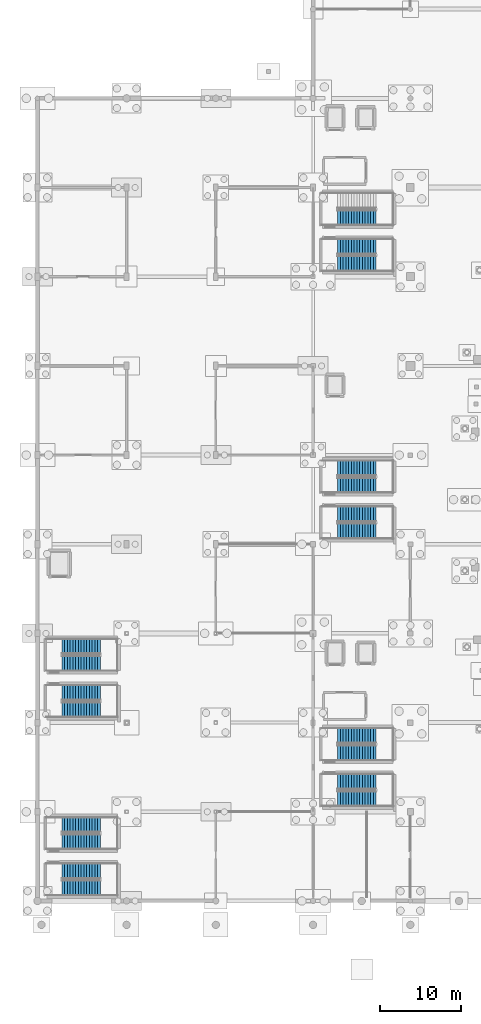
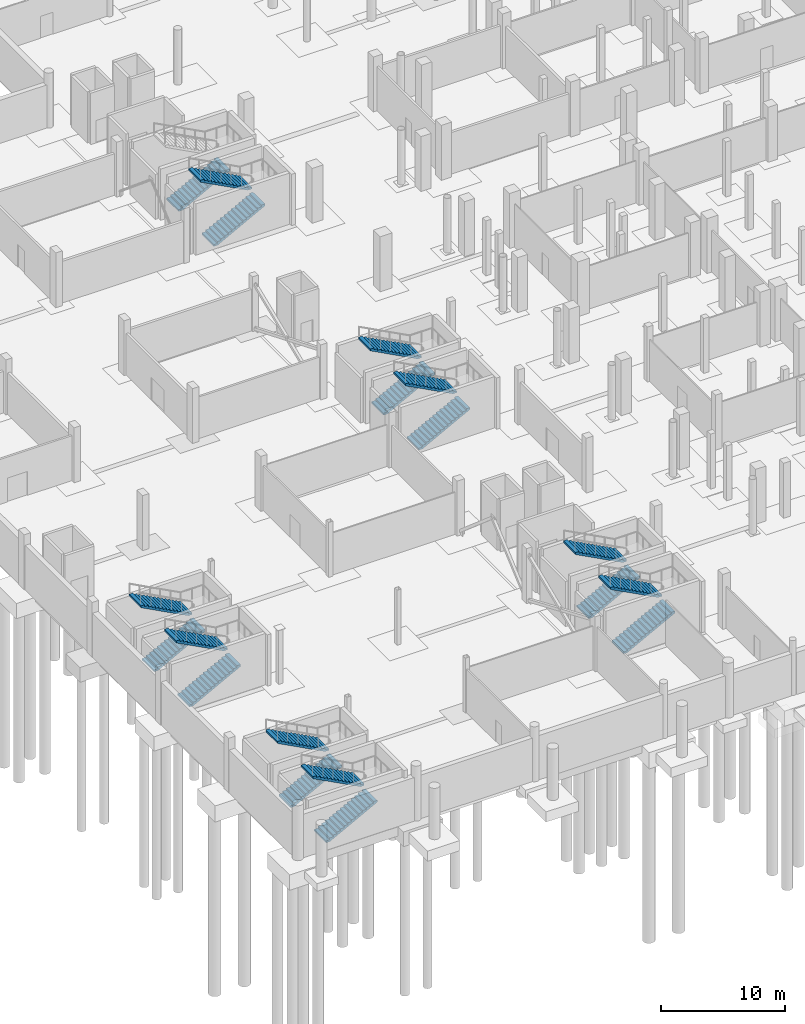
# One storey, part 44 of 60: 19 stair flights, 10 elements without a shape of their own.
"""IFC4 building model written with IfcOpenShell, lengths in metres."""

from ifc_helpers import new_model, si_unit, direction, frame, origin, place, context, subcontext, project, spatial, polyline, outline, extrude, material, layer, layer_set, type_object, element, aggregate, save


model = new_model("IFC4")

# Units and contexts
model_context = context("Model", 3, precision=1e-05, world=origin(), true_north=direction((0.0, 1.0)))
body_context = subcontext(model_context, "Body", "Model", "MODEL_VIEW")
ifc_project = project(units=[si_unit("LENGTHUNIT", "METRE"), si_unit("AREAUNIT", "SQUARE_METRE"), si_unit("VOLUMEUNIT", "CUBIC_METRE"), si_unit("PLANEANGLEUNIT", "RADIAN"), si_unit("MASSUNIT", "GRAM", prefix="KILO")], contexts=[model_context])

# Site, building, storey
site_placement = place(None, origin())
site = spatial("IfcSite", under=ifc_project, at=site_placement, CompositionType="ELEMENT")
building_placement = place(site_placement, origin())
building = spatial("IfcBuilding", under=site, at=building_placement, Name="Luwafu Chhajja Arena", CompositionType="ELEMENT")
storey_placement = place(building_placement, frame((0.0, 0.0, -5.39990234375)))
storey = spatial("IfcBuildingStorey", under=building, at=storey_placement, Name="B1", CompositionType="ELEMENT", Elevation=-5.39990234375)

# Stair, stair flights
ifc_material = material(Name="Concrete C35/45", Category="concrete")
stair_type_1 = type_object("IfcStairType", Name="Wing Protected Dog-Leg Stair 1900", PredefinedType="HALF_TURN_STAIR", material=ifc_material)
stair_1_placement = place(storey_placement, origin())
stair_1 = element("IfcStair", 1, at=stair_1_placement, inside=storey, type_object=stair_type_1, Name="B1 Protected Escape Stair ST-13", PredefinedType="HALF_TURN_STAIR")
ifc_layer_1 = layer(ifc_material, 0.1650390625, Name="Concrete C35/45")
ifc_layer_set_1 = layer_set([ifc_layer_1], Name="Concrete C35/45")
stair_flight_type_1 = type_object("IfcStairFlightType", Name="RC Escape Stair Flight 1900", PredefinedType="STRAIGHT", material=ifc_layer_set_1)
stair_flight_1_placement = place(storey_placement, frame((3.0, 23.60009765625, 0.0), z_axis=(0.0, 0.0, 1.0), x_axis=(1.0, 0.0, 0.0)))
stair_flight_1 = element("IfcStairFlight", 2, at=stair_flight_1_placement, type_object=stair_flight_type_1, Name="ST-13 flight 1", NumberOfRisers=15, NumberOfTreads=14, PredefinedType="STRAIGHT", RiserHeight=0.18, TreadLength=0.34, context=body_context, shape_type="SweptSolid", body=[
    extrude(outline(polyline([(0.0, 0.0), (0.0, 0.179931640625), (0.340087890625, 0.179931640625), (0.340087890625, 0.360107421875), (0.679931640625, 0.360107421875), (0.679931640625, 0.5400390625), (1.02001953125, 0.5400390625), (1.02001953125, 0.719970703125), (1.360107421875, 0.719970703125), (1.360107421875, 0.89990234375), (1.699951171875, 0.89990234375), (1.699951171875, 1.080078125), (2.0400390625, 1.080078125), (2.0400390625, 1.260009765625), (2.3798828125, 1.260009765625), (2.3798828125, 1.43994140625), (2.719970703125, 1.43994140625), (2.719970703125, 1.6201171875), (3.06005859375, 1.6201171875), (3.06005859375, 1.800048828125), (3.39990234375, 1.800048828125), (3.39990234375, 1.97998046875), (3.739990234375, 1.97998046875), (3.739990234375, 2.159912109375), (4.080078125, 2.159912109375), (4.080078125, 2.340087890625), (4.419921875, 2.340087890625), (4.419921875, 2.52001953125), (4.760009765625, 2.52001953125), (4.760009765625, 2.699951171875), (4.760009765625, 2.32763671875), (0.36328125, 0.0), (0.0, 0.0)])), frame((0.0, 0.949951171875, 0.0), z_axis=(0.0, -1.0, 0.0), x_axis=(1.0, 0.0, 0.0)), (0.0, 0.0, 1.0), 1.89990234375),
])
stair_flight_2_placement = place(storey_placement, frame((7.760009765625, 25.699951171875, 2.699951171875), z_axis=(0.0, 0.0, 1.0), x_axis=(-1.0, 0.0, 0.0)))
stair_flight_2 = element("IfcStairFlight", 3, at=stair_flight_2_placement, type_object=stair_flight_type_1, Name="ST-13 flight 2", NumberOfRisers=15, NumberOfTreads=14, PredefinedType="STRAIGHT", RiserHeight=0.18, TreadLength=0.34, context=body_context, shape_type="SweptSolid", body=[
    extrude(outline(polyline([(0.0, 0.0), (0.0, 0.179931640625), (0.340087890625, 0.179931640625), (0.340087890625, 0.360107421875), (0.679931640625, 0.360107421875), (0.679931640625, 0.5400390625), (1.02001953125, 0.5400390625), (1.02001953125, 0.719970703125), (1.360107421875, 0.719970703125), (1.360107421875, 0.89990234375), (1.699951171875, 0.89990234375), (1.699951171875, 1.080078125), (2.0400390625, 1.080078125), (2.0400390625, 1.260009765625), (2.3798828125, 1.260009765625), (2.3798828125, 1.43994140625), (2.719970703125, 1.43994140625), (2.719970703125, 1.6201171875), (3.06005859375, 1.6201171875), (3.06005859375, 1.800048828125), (3.39990234375, 1.800048828125), (3.39990234375, 1.97998046875), (3.739990234375, 1.97998046875), (3.739990234375, 2.159912109375), (4.080078125, 2.159912109375), (4.080078125, 2.340087890625), (4.419921875, 2.340087890625), (4.419921875, 2.52001953125), (4.760009765625, 2.52001953125), (4.760009765625, 2.699951171875), (4.760009765625, 2.32763671875), (0.36328125, 0.0), (0.0, 0.0)])), frame((0.0, 0.949951171875, 0.0), z_axis=(0.0, -1.0, 0.0), x_axis=(1.0, 0.0, 0.0)), (0.0, 0.0, 1.0), 1.89990234375),
])
aggregate(stair_1, [stair_flight_1, stair_flight_2])

stair_2_placement = place(storey_placement, origin())
stair_2 = element("IfcStair", 4, at=stair_2_placement, inside=storey, type_object=stair_type_1, Name="B1 Protected Escape Stair ST-14", PredefinedType="HALF_TURN_STAIR")
stair_flight_3_placement = place(storey_placement, frame((3.0, 29.300048828125, 0.0), z_axis=(0.0, 0.0, 1.0), x_axis=(1.0, 0.0, 0.0)))
stair_flight_3 = element("IfcStairFlight", 5, at=stair_flight_3_placement, type_object=stair_flight_type_1, Name="ST-14 flight 1", NumberOfRisers=15, NumberOfTreads=14, PredefinedType="STRAIGHT", RiserHeight=0.18, TreadLength=0.34, context=body_context, shape_type="SweptSolid", body=[
    extrude(outline(polyline([(0.0, 0.0), (0.0, 0.179931640625), (0.340087890625, 0.179931640625), (0.340087890625, 0.360107421875), (0.679931640625, 0.360107421875), (0.679931640625, 0.5400390625), (1.02001953125, 0.5400390625), (1.02001953125, 0.719970703125), (1.360107421875, 0.719970703125), (1.360107421875, 0.89990234375), (1.699951171875, 0.89990234375), (1.699951171875, 1.080078125), (2.0400390625, 1.080078125), (2.0400390625, 1.260009765625), (2.3798828125, 1.260009765625), (2.3798828125, 1.43994140625), (2.719970703125, 1.43994140625), (2.719970703125, 1.6201171875), (3.06005859375, 1.6201171875), (3.06005859375, 1.800048828125), (3.39990234375, 1.800048828125), (3.39990234375, 1.97998046875), (3.739990234375, 1.97998046875), (3.739990234375, 2.159912109375), (4.080078125, 2.159912109375), (4.080078125, 2.340087890625), (4.419921875, 2.340087890625), (4.419921875, 2.52001953125), (4.760009765625, 2.52001953125), (4.760009765625, 2.699951171875), (4.760009765625, 2.32763671875), (0.36328125, 0.0), (0.0, 0.0)])), frame((0.0, 0.949951171875, 0.0), z_axis=(0.0, -1.0, 0.0), x_axis=(1.0, 0.0, 0.0)), (0.0, 0.0, 1.0), 1.89990234375),
])
stair_flight_4_placement = place(storey_placement, frame((7.760009765625, 31.39990234375, 2.699951171875), z_axis=(0.0, 0.0, 1.0), x_axis=(-1.0, 0.0, 0.0)))
stair_flight_4 = element("IfcStairFlight", 6, at=stair_flight_4_placement, type_object=stair_flight_type_1, Name="ST-14 flight 2", NumberOfRisers=15, NumberOfTreads=14, PredefinedType="STRAIGHT", RiserHeight=0.18, TreadLength=0.34, context=body_context, shape_type="SweptSolid", body=[
    extrude(outline(polyline([(0.0, 0.0), (0.0, 0.179931640625), (0.340087890625, 0.179931640625), (0.340087890625, 0.360107421875), (0.679931640625, 0.360107421875), (0.679931640625, 0.5400390625), (1.02001953125, 0.5400390625), (1.02001953125, 0.719970703125), (1.360107421875, 0.719970703125), (1.360107421875, 0.89990234375), (1.699951171875, 0.89990234375), (1.699951171875, 1.080078125), (2.0400390625, 1.080078125), (2.0400390625, 1.260009765625), (2.3798828125, 1.260009765625), (2.3798828125, 1.43994140625), (2.719970703125, 1.43994140625), (2.719970703125, 1.6201171875), (3.06005859375, 1.6201171875), (3.06005859375, 1.800048828125), (3.39990234375, 1.800048828125), (3.39990234375, 1.97998046875), (3.739990234375, 1.97998046875), (3.739990234375, 2.159912109375), (4.080078125, 2.159912109375), (4.080078125, 2.340087890625), (4.419921875, 2.340087890625), (4.419921875, 2.52001953125), (4.760009765625, 2.52001953125), (4.760009765625, 2.699951171875), (4.760009765625, 2.32763671875), (0.36328125, 0.0), (0.0, 0.0)])), frame((0.0, 0.949951171875, 0.0), z_axis=(0.0, -1.0, 0.0), x_axis=(1.0, 0.0, 0.0)), (0.0, 0.0, 1.0), 1.89990234375),
])
aggregate(stair_2, [stair_flight_3, stair_flight_4])

stair_3_placement = place(storey_placement, origin())
stair_3 = element("IfcStair", 7, at=stair_3_placement, inside=storey, type_object=stair_type_1, Name="B1 Protected Escape Stair ST-17", PredefinedType="HALF_TURN_STAIR")
stair_flight_5_placement = place(storey_placement, frame((3.0, 1.60009765625, 0.0), z_axis=(0.0, 0.0, 1.0), x_axis=(1.0, 0.0, 0.0)))
stair_flight_5 = element("IfcStairFlight", 8, at=stair_flight_5_placement, type_object=stair_flight_type_1, Name="ST-17 flight 1", NumberOfRisers=15, NumberOfTreads=14, PredefinedType="STRAIGHT", RiserHeight=0.18, TreadLength=0.34, context=body_context, shape_type="SweptSolid", body=[
    extrude(outline(polyline([(0.0, 0.0), (0.0, 0.179931640625), (0.340087890625, 0.179931640625), (0.340087890625, 0.360107421875), (0.679931640625, 0.360107421875), (0.679931640625, 0.5400390625), (1.02001953125, 0.5400390625), (1.02001953125, 0.719970703125), (1.360107421875, 0.719970703125), (1.360107421875, 0.89990234375), (1.699951171875, 0.89990234375), (1.699951171875, 1.080078125), (2.0400390625, 1.080078125), (2.0400390625, 1.260009765625), (2.3798828125, 1.260009765625), (2.3798828125, 1.43994140625), (2.719970703125, 1.43994140625), (2.719970703125, 1.6201171875), (3.06005859375, 1.6201171875), (3.06005859375, 1.800048828125), (3.39990234375, 1.800048828125), (3.39990234375, 1.97998046875), (3.739990234375, 1.97998046875), (3.739990234375, 2.159912109375), (4.080078125, 2.159912109375), (4.080078125, 2.340087890625), (4.419921875, 2.340087890625), (4.419921875, 2.52001953125), (4.760009765625, 2.52001953125), (4.760009765625, 2.699951171875), (4.760009765625, 2.32763671875), (0.36328125, 0.0), (0.0, 0.0)])), frame((0.0, 0.949951171875, 0.0), z_axis=(0.0, -1.0, 0.0), x_axis=(1.0, 0.0, 0.0)), (0.0, 0.0, 1.0), 1.89990234375),
])
stair_flight_6_placement = place(storey_placement, frame((7.760009765625, 3.699951171875, 2.699951171875), z_axis=(0.0, 0.0, 1.0), x_axis=(-1.0, 0.0, 0.0)))
stair_flight_6 = element("IfcStairFlight", 9, at=stair_flight_6_placement, type_object=stair_flight_type_1, Name="ST-17 flight 2", NumberOfRisers=15, NumberOfTreads=14, PredefinedType="STRAIGHT", RiserHeight=0.18, TreadLength=0.34, context=body_context, shape_type="SweptSolid", body=[
    extrude(outline(polyline([(0.0, 0.0), (0.0, 0.179931640625), (0.340087890625, 0.179931640625), (0.340087890625, 0.360107421875), (0.679931640625, 0.360107421875), (0.679931640625, 0.5400390625), (1.02001953125, 0.5400390625), (1.02001953125, 0.719970703125), (1.360107421875, 0.719970703125), (1.360107421875, 0.89990234375), (1.699951171875, 0.89990234375), (1.699951171875, 1.080078125), (2.0400390625, 1.080078125), (2.0400390625, 1.260009765625), (2.3798828125, 1.260009765625), (2.3798828125, 1.43994140625), (2.719970703125, 1.43994140625), (2.719970703125, 1.6201171875), (3.06005859375, 1.6201171875), (3.06005859375, 1.800048828125), (3.39990234375, 1.800048828125), (3.39990234375, 1.97998046875), (3.739990234375, 1.97998046875), (3.739990234375, 2.159912109375), (4.080078125, 2.159912109375), (4.080078125, 2.340087890625), (4.419921875, 2.340087890625), (4.419921875, 2.52001953125), (4.760009765625, 2.52001953125), (4.760009765625, 2.699951171875), (4.760009765625, 2.32763671875), (0.36328125, 0.0), (0.0, 0.0)])), frame((0.0, 0.949951171875, 0.0), z_axis=(0.0, -1.0, 0.0), x_axis=(1.0, 0.0, 0.0)), (0.0, 0.0, 1.0), 1.89990234375),
])
aggregate(stair_3, [stair_flight_5, stair_flight_6])

stair_4_placement = place(storey_placement, origin())
stair_4 = element("IfcStair", 10, at=stair_4_placement, inside=storey, type_object=stair_type_1, Name="B1 Protected Escape Stair ST-18", PredefinedType="HALF_TURN_STAIR")
stair_flight_7_placement = place(storey_placement, frame((3.0, 7.300048828125, 0.0), z_axis=(0.0, 0.0, 1.0), x_axis=(1.0, 0.0, 0.0)))
stair_flight_7 = element("IfcStairFlight", 11, at=stair_flight_7_placement, type_object=stair_flight_type_1, Name="ST-18 flight 1", NumberOfRisers=15, NumberOfTreads=14, PredefinedType="STRAIGHT", RiserHeight=0.18, TreadLength=0.34, context=body_context, shape_type="SweptSolid", body=[
    extrude(outline(polyline([(0.0, 0.0), (0.0, 0.179931640625), (0.340087890625, 0.179931640625), (0.340087890625, 0.360107421875), (0.679931640625, 0.360107421875), (0.679931640625, 0.5400390625), (1.02001953125, 0.5400390625), (1.02001953125, 0.719970703125), (1.360107421875, 0.719970703125), (1.360107421875, 0.89990234375), (1.699951171875, 0.89990234375), (1.699951171875, 1.080078125), (2.0400390625, 1.080078125), (2.0400390625, 1.260009765625), (2.3798828125, 1.260009765625), (2.3798828125, 1.43994140625), (2.719970703125, 1.43994140625), (2.719970703125, 1.6201171875), (3.06005859375, 1.6201171875), (3.06005859375, 1.800048828125), (3.39990234375, 1.800048828125), (3.39990234375, 1.97998046875), (3.739990234375, 1.97998046875), (3.739990234375, 2.159912109375), (4.080078125, 2.159912109375), (4.080078125, 2.340087890625), (4.419921875, 2.340087890625), (4.419921875, 2.52001953125), (4.760009765625, 2.52001953125), (4.760009765625, 2.699951171875), (4.760009765625, 2.32763671875), (0.36328125, 0.0), (0.0, 0.0)])), frame((0.0, 0.949951171875, 0.0), z_axis=(0.0, -1.0, 0.0), x_axis=(1.0, 0.0, 0.0)), (0.0, 0.0, 1.0), 1.89990234375),
])
stair_flight_8_placement = place(storey_placement, frame((7.760009765625, 9.39990234375, 2.699951171875), z_axis=(0.0, 0.0, 1.0), x_axis=(-1.0, 0.0, 0.0)))
stair_flight_8 = element("IfcStairFlight", 12, at=stair_flight_8_placement, type_object=stair_flight_type_1, Name="ST-18 flight 2", NumberOfRisers=15, NumberOfTreads=14, PredefinedType="STRAIGHT", RiserHeight=0.18, TreadLength=0.34, context=body_context, shape_type="SweptSolid", body=[
    extrude(outline(polyline([(0.0, 0.0), (0.0, 0.179931640625), (0.340087890625, 0.179931640625), (0.340087890625, 0.360107421875), (0.679931640625, 0.360107421875), (0.679931640625, 0.5400390625), (1.02001953125, 0.5400390625), (1.02001953125, 0.719970703125), (1.360107421875, 0.719970703125), (1.360107421875, 0.89990234375), (1.699951171875, 0.89990234375), (1.699951171875, 1.080078125), (2.0400390625, 1.080078125), (2.0400390625, 1.260009765625), (2.3798828125, 1.260009765625), (2.3798828125, 1.43994140625), (2.719970703125, 1.43994140625), (2.719970703125, 1.6201171875), (3.06005859375, 1.6201171875), (3.06005859375, 1.800048828125), (3.39990234375, 1.800048828125), (3.39990234375, 1.97998046875), (3.739990234375, 1.97998046875), (3.739990234375, 2.159912109375), (4.080078125, 2.159912109375), (4.080078125, 2.340087890625), (4.419921875, 2.340087890625), (4.419921875, 2.52001953125), (4.760009765625, 2.52001953125), (4.760009765625, 2.699951171875), (4.760009765625, 2.32763671875), (0.36328125, 0.0), (0.0, 0.0)])), frame((0.0, 0.949951171875, 0.0), z_axis=(0.0, -1.0, 0.0), x_axis=(1.0, 0.0, 0.0)), (0.0, 0.0, 1.0), 1.89990234375),
])
aggregate(stair_4, [stair_flight_7, stair_flight_8])

stair_type_2 = type_object("IfcStairType", Name="Quadrant Protected Dog-Leg Stair 1920", PredefinedType="HALF_TURN_STAIR", material=ifc_material)
stair_5_placement = place(storey_placement, origin())
stair_5 = element("IfcStair", 13, at=stair_5_placement, inside=storey, type_object=stair_type_2, Name="B1 Protected Escape Stair ST-01", PredefinedType="HALF_TURN_STAIR")
ifc_layer_2 = layer(ifc_material, 0.169921875, Name="Concrete C35/45")
ifc_layer_set_2 = layer_set([ifc_layer_2], Name="Concrete C35/45")
stair_flight_type_2 = type_object("IfcStairFlightType", Name="RC Escape Stair Flight 1920", PredefinedType="STRAIGHT", material=ifc_layer_set_2)
stair_flight_9_placement = place(storey_placement, frame((37.02001953125, 12.610107421875, 0.0), z_axis=(0.0, 0.0, 1.0), x_axis=(1.0, 0.0, 0.0)))
stair_flight_9 = element("IfcStairFlight", 14, at=stair_flight_9_placement, type_object=stair_flight_type_2, Name="ST-01 flight 1", NumberOfRisers=15, NumberOfTreads=14, PredefinedType="STRAIGHT", RiserHeight=0.18, TreadLength=0.34, context=body_context, shape_type="SweptSolid", body=[
    extrude(outline(polyline([(0.0, 0.0), (0.0, 0.179931640625), (0.340087890625, 0.179931640625), (0.340087890625, 0.360107421875), (0.679931640625, 0.360107421875), (0.679931640625, 0.5400390625), (1.02001953125, 0.5400390625), (1.02001953125, 0.719970703125), (1.360107421875, 0.719970703125), (1.360107421875, 0.89990234375), (1.699951171875, 0.89990234375), (1.699951171875, 1.080078125), (2.0400390625, 1.080078125), (2.0400390625, 1.260009765625), (2.3798828125, 1.260009765625), (2.3798828125, 1.43994140625), (2.719970703125, 1.43994140625), (2.719970703125, 1.6201171875), (3.06005859375, 1.6201171875), (3.06005859375, 1.800048828125), (3.39990234375, 1.800048828125), (3.39990234375, 1.97998046875), (3.739990234375, 1.97998046875), (3.739990234375, 2.159912109375), (4.080078125, 2.159912109375), (4.080078125, 2.340087890625), (4.419921875, 2.340087890625), (4.419921875, 2.52001953125), (4.760009765625, 2.52001953125), (4.760009765625, 2.699951171875), (4.760009765625, 2.32763671875), (0.36328125, 0.0), (0.0, 0.0)])), frame((0.0, 0.9599609375, 0.0), z_axis=(0.0, -1.0, 0.0), x_axis=(1.0, 0.0, 0.0)), (0.0, 0.0, 1.0), 1.919921875),
])
stair_flight_10_placement = place(storey_placement, frame((41.780029296875, 14.72998046875, 2.699951171875), z_axis=(0.0, 0.0, 1.0), x_axis=(-1.0, 0.0, 0.0)))
stair_flight_10 = element("IfcStairFlight", 15, at=stair_flight_10_placement, type_object=stair_flight_type_2, Name="ST-01 flight 2", NumberOfRisers=15, NumberOfTreads=14, PredefinedType="STRAIGHT", RiserHeight=0.18, TreadLength=0.34, context=body_context, shape_type="SweptSolid", body=[
    extrude(outline(polyline([(0.0, 0.0), (0.0, 0.179931640625), (0.340087890625, 0.179931640625), (0.340087890625, 0.360107421875), (0.679931640625, 0.360107421875), (0.679931640625, 0.5400390625), (1.02001953125, 0.5400390625), (1.02001953125, 0.719970703125), (1.360107421875, 0.719970703125), (1.360107421875, 0.89990234375), (1.699951171875, 0.89990234375), (1.699951171875, 1.080078125), (2.0400390625, 1.080078125), (2.0400390625, 1.260009765625), (2.3798828125, 1.260009765625), (2.3798828125, 1.43994140625), (2.719970703125, 1.43994140625), (2.719970703125, 1.6201171875), (3.06005859375, 1.6201171875), (3.06005859375, 1.800048828125), (3.39990234375, 1.800048828125), (3.39990234375, 1.97998046875), (3.739990234375, 1.97998046875), (3.739990234375, 2.159912109375), (4.080078125, 2.159912109375), (4.080078125, 2.340087890625), (4.419921875, 2.340087890625), (4.419921875, 2.52001953125), (4.760009765625, 2.52001953125), (4.760009765625, 2.699951171875), (4.760009765625, 2.32763671875), (0.36328125, 0.0), (0.0, 0.0)])), frame((0.0, 0.9599609375, 0.0), z_axis=(0.0, -1.0, 0.0), x_axis=(1.0, 0.0, 0.0)), (0.0, 0.0, 1.0), 1.919921875),
])
aggregate(stair_5, [stair_flight_9, stair_flight_10])

stair_6_placement = place(storey_placement, origin())
stair_6 = element("IfcStair", 16, at=stair_6_placement, inside=storey, type_object=stair_type_2, Name="B1 Protected Escape Stair ST-02", PredefinedType="HALF_TURN_STAIR")
stair_flight_11_placement = place(storey_placement, frame((37.02001953125, 18.27001953125, 0.0), z_axis=(0.0, 0.0, 1.0), x_axis=(1.0, 0.0, 0.0)))
stair_flight_11 = element("IfcStairFlight", 17, at=stair_flight_11_placement, type_object=stair_flight_type_2, Name="ST-02 flight 1", NumberOfRisers=15, NumberOfTreads=14, PredefinedType="STRAIGHT", RiserHeight=0.18, TreadLength=0.34, context=body_context, shape_type="SweptSolid", body=[
    extrude(outline(polyline([(0.0, 0.0), (0.0, 0.179931640625), (0.340087890625, 0.179931640625), (0.340087890625, 0.360107421875), (0.679931640625, 0.360107421875), (0.679931640625, 0.5400390625), (1.02001953125, 0.5400390625), (1.02001953125, 0.719970703125), (1.360107421875, 0.719970703125), (1.360107421875, 0.89990234375), (1.699951171875, 0.89990234375), (1.699951171875, 1.080078125), (2.0400390625, 1.080078125), (2.0400390625, 1.260009765625), (2.3798828125, 1.260009765625), (2.3798828125, 1.43994140625), (2.719970703125, 1.43994140625), (2.719970703125, 1.6201171875), (3.06005859375, 1.6201171875), (3.06005859375, 1.800048828125), (3.39990234375, 1.800048828125), (3.39990234375, 1.97998046875), (3.739990234375, 1.97998046875), (3.739990234375, 2.159912109375), (4.080078125, 2.159912109375), (4.080078125, 2.340087890625), (4.419921875, 2.340087890625), (4.419921875, 2.52001953125), (4.760009765625, 2.52001953125), (4.760009765625, 2.699951171875), (4.760009765625, 2.32763671875), (0.36328125, 0.0), (0.0, 0.0)])), frame((0.0, 0.9599609375, 0.0), z_axis=(0.0, -1.0, 0.0), x_axis=(1.0, 0.0, 0.0)), (0.0, 0.0, 1.0), 1.919921875),
])
stair_flight_12_placement = place(storey_placement, frame((41.780029296875, 20.389892578125, 2.699951171875), z_axis=(0.0, 0.0, 1.0), x_axis=(-1.0, 0.0, 0.0)))
stair_flight_12 = element("IfcStairFlight", 18, at=stair_flight_12_placement, type_object=stair_flight_type_2, Name="ST-02 flight 2", NumberOfRisers=15, NumberOfTreads=14, PredefinedType="STRAIGHT", RiserHeight=0.18, TreadLength=0.34, context=body_context, shape_type="SweptSolid", body=[
    extrude(outline(polyline([(0.0, 0.0), (0.0, 0.179931640625), (0.340087890625, 0.179931640625), (0.340087890625, 0.360107421875), (0.679931640625, 0.360107421875), (0.679931640625, 0.5400390625), (1.02001953125, 0.5400390625), (1.02001953125, 0.719970703125), (1.360107421875, 0.719970703125), (1.360107421875, 0.89990234375), (1.699951171875, 0.89990234375), (1.699951171875, 1.080078125), (2.0400390625, 1.080078125), (2.0400390625, 1.260009765625), (2.3798828125, 1.260009765625), (2.3798828125, 1.43994140625), (2.719970703125, 1.43994140625), (2.719970703125, 1.6201171875), (3.06005859375, 1.6201171875), (3.06005859375, 1.800048828125), (3.39990234375, 1.800048828125), (3.39990234375, 1.97998046875), (3.739990234375, 1.97998046875), (3.739990234375, 2.159912109375), (4.080078125, 2.159912109375), (4.080078125, 2.340087890625), (4.419921875, 2.340087890625), (4.419921875, 2.52001953125), (4.760009765625, 2.52001953125), (4.760009765625, 2.699951171875), (4.760009765625, 2.32763671875), (0.36328125, 0.0), (0.0, 0.0)])), frame((0.0, 0.9599609375, 0.0), z_axis=(0.0, -1.0, 0.0), x_axis=(1.0, 0.0, 0.0)), (0.0, 0.0, 1.0), 1.919921875),
])
aggregate(stair_6, [stair_flight_11, stair_flight_12])

stair_7_placement = place(storey_placement, origin())
stair_7 = element("IfcStair", 19, at=stair_7_placement, inside=storey, type_object=stair_type_2, Name="B1 Protected Escape Stair ST-05", PredefinedType="HALF_TURN_STAIR")
stair_flight_13_placement = place(storey_placement, frame((37.02001953125, 78.610107421875, 0.0), z_axis=(0.0, 0.0, 1.0), x_axis=(1.0, 0.0, 0.0)))
stair_flight_13 = element("IfcStairFlight", 20, at=stair_flight_13_placement, type_object=stair_flight_type_2, Name="ST-05 flight 1", NumberOfRisers=15, NumberOfTreads=14, PredefinedType="STRAIGHT", RiserHeight=0.18, TreadLength=0.34, context=body_context, shape_type="SweptSolid", body=[
    extrude(outline(polyline([(0.0, 0.0), (0.0, 0.179931640625), (0.340087890625, 0.179931640625), (0.340087890625, 0.360107421875), (0.679931640625, 0.360107421875), (0.679931640625, 0.5400390625), (1.02001953125, 0.5400390625), (1.02001953125, 0.719970703125), (1.360107421875, 0.719970703125), (1.360107421875, 0.89990234375), (1.699951171875, 0.89990234375), (1.699951171875, 1.080078125), (2.0400390625, 1.080078125), (2.0400390625, 1.260009765625), (2.3798828125, 1.260009765625), (2.3798828125, 1.43994140625), (2.719970703125, 1.43994140625), (2.719970703125, 1.6201171875), (3.06005859375, 1.6201171875), (3.06005859375, 1.800048828125), (3.39990234375, 1.800048828125), (3.39990234375, 1.97998046875), (3.739990234375, 1.97998046875), (3.739990234375, 2.159912109375), (4.080078125, 2.159912109375), (4.080078125, 2.340087890625), (4.419921875, 2.340087890625), (4.419921875, 2.52001953125), (4.760009765625, 2.52001953125), (4.760009765625, 2.699951171875), (4.760009765625, 2.32763671875), (0.36328125, 0.0), (0.0, 0.0)])), frame((0.0, 0.9599609375, 0.0), z_axis=(0.0, -1.0, 0.0), x_axis=(1.0, 0.0, 0.0)), (0.0, 0.0, 1.0), 1.919921875),
])
stair_flight_14_placement = place(storey_placement, frame((41.780029296875, 80.72998046875, 2.699951171875), z_axis=(0.0, 0.0, 1.0), x_axis=(-1.0, 0.0, 0.0)))
stair_flight_14 = element("IfcStairFlight", 21, at=stair_flight_14_placement, type_object=stair_flight_type_2, Name="ST-05 flight 2", NumberOfRisers=15, NumberOfTreads=14, PredefinedType="STRAIGHT", RiserHeight=0.18, TreadLength=0.34, context=body_context, shape_type="SweptSolid", body=[
    extrude(outline(polyline([(0.0, 0.0), (0.0, 0.179931640625), (0.340087890625, 0.179931640625), (0.340087890625, 0.360107421875), (0.679931640625, 0.360107421875), (0.679931640625, 0.5400390625), (1.02001953125, 0.5400390625), (1.02001953125, 0.719970703125), (1.360107421875, 0.719970703125), (1.360107421875, 0.89990234375), (1.699951171875, 0.89990234375), (1.699951171875, 1.080078125), (2.0400390625, 1.080078125), (2.0400390625, 1.260009765625), (2.3798828125, 1.260009765625), (2.3798828125, 1.43994140625), (2.719970703125, 1.43994140625), (2.719970703125, 1.6201171875), (3.06005859375, 1.6201171875), (3.06005859375, 1.800048828125), (3.39990234375, 1.800048828125), (3.39990234375, 1.97998046875), (3.739990234375, 1.97998046875), (3.739990234375, 2.159912109375), (4.080078125, 2.159912109375), (4.080078125, 2.340087890625), (4.419921875, 2.340087890625), (4.419921875, 2.52001953125), (4.760009765625, 2.52001953125), (4.760009765625, 2.699951171875), (4.760009765625, 2.32763671875), (0.36328125, 0.0), (0.0, 0.0)])), frame((0.0, 0.9599609375, 0.0), z_axis=(0.0, -1.0, 0.0), x_axis=(1.0, 0.0, 0.0)), (0.0, 0.0, 1.0), 1.919921875),
])
aggregate(stair_7, [stair_flight_13, stair_flight_14])

# Stair, stair flight
stair_8_placement = place(storey_placement, origin())
stair_8 = element("IfcStair", 22, at=stair_8_placement, inside=storey, type_object=stair_type_2, Name="B1 Protected Escape Stair ST-06", PredefinedType="HALF_TURN_STAIR")
stair_flight_15_placement = place(storey_placement, frame((37.02001953125, 84.27001953125, 0.0), z_axis=(0.0, 0.0, 1.0), x_axis=(1.0, 0.0, 0.0)))
stair_flight_15 = element("IfcStairFlight", 23, at=stair_flight_15_placement, type_object=stair_flight_type_2, Name="ST-06 flight 1", NumberOfRisers=15, NumberOfTreads=14, PredefinedType="STRAIGHT", RiserHeight=0.18, TreadLength=0.34, context=body_context, shape_type="SweptSolid", body=[
    extrude(outline(polyline([(0.0, 0.0), (0.0, 0.179931640625), (0.340087890625, 0.179931640625), (0.340087890625, 0.360107421875), (0.679931640625, 0.360107421875), (0.679931640625, 0.5400390625), (1.02001953125, 0.5400390625), (1.02001953125, 0.719970703125), (1.360107421875, 0.719970703125), (1.360107421875, 0.89990234375), (1.699951171875, 0.89990234375), (1.699951171875, 1.080078125), (2.0400390625, 1.080078125), (2.0400390625, 1.260009765625), (2.3798828125, 1.260009765625), (2.3798828125, 1.43994140625), (2.719970703125, 1.43994140625), (2.719970703125, 1.6201171875), (3.06005859375, 1.6201171875), (3.06005859375, 1.800048828125), (3.39990234375, 1.800048828125), (3.39990234375, 1.97998046875), (3.739990234375, 1.97998046875), (3.739990234375, 2.159912109375), (4.080078125, 2.159912109375), (4.080078125, 2.340087890625), (4.419921875, 2.340087890625), (4.419921875, 2.52001953125), (4.760009765625, 2.52001953125), (4.760009765625, 2.699951171875), (4.760009765625, 2.32763671875), (0.36328125, 0.0), (0.0, 0.0)])), frame((0.0, 0.9599609375, 0.0), z_axis=(0.0, -1.0, 0.0), x_axis=(1.0, 0.0, 0.0)), (0.0, 0.0, 1.0), 1.919921875),
])
aggregate(stair_8, [stair_flight_15])

# Stair, stair flights
stair_9_placement = place(storey_placement, origin())
stair_9 = element("IfcStair", 24, at=stair_9_placement, inside=storey, type_object=stair_type_2, Name="B1 Protected Escape Stair ST-09", PredefinedType="HALF_TURN_STAIR")
stair_flight_16_placement = place(storey_placement, frame((37.02001953125, 45.610107421875, 0.0), z_axis=(0.0, 0.0, 1.0), x_axis=(1.0, 0.0, 0.0)))
stair_flight_16 = element("IfcStairFlight", 25, at=stair_flight_16_placement, type_object=stair_flight_type_2, Name="ST-09 flight 1", NumberOfRisers=15, NumberOfTreads=14, PredefinedType="STRAIGHT", RiserHeight=0.18, TreadLength=0.34, context=body_context, shape_type="SweptSolid", body=[
    extrude(outline(polyline([(0.0, 0.0), (0.0, 0.179931640625), (0.340087890625, 0.179931640625), (0.340087890625, 0.360107421875), (0.679931640625, 0.360107421875), (0.679931640625, 0.5400390625), (1.02001953125, 0.5400390625), (1.02001953125, 0.719970703125), (1.360107421875, 0.719970703125), (1.360107421875, 0.89990234375), (1.699951171875, 0.89990234375), (1.699951171875, 1.080078125), (2.0400390625, 1.080078125), (2.0400390625, 1.260009765625), (2.3798828125, 1.260009765625), (2.3798828125, 1.43994140625), (2.719970703125, 1.43994140625), (2.719970703125, 1.6201171875), (3.06005859375, 1.6201171875), (3.06005859375, 1.800048828125), (3.39990234375, 1.800048828125), (3.39990234375, 1.97998046875), (3.739990234375, 1.97998046875), (3.739990234375, 2.159912109375), (4.080078125, 2.159912109375), (4.080078125, 2.340087890625), (4.419921875, 2.340087890625), (4.419921875, 2.52001953125), (4.760009765625, 2.52001953125), (4.760009765625, 2.699951171875), (4.760009765625, 2.32763671875), (0.36328125, 0.0), (0.0, 0.0)])), frame((0.0, 0.9599609375, 0.0), z_axis=(0.0, -1.0, 0.0), x_axis=(1.0, 0.0, 0.0)), (0.0, 0.0, 1.0), 1.919921875),
])
stair_flight_17_placement = place(storey_placement, frame((41.780029296875, 47.72998046875, 2.699951171875), z_axis=(0.0, 0.0, 1.0), x_axis=(-1.0, 0.0, 0.0)))
stair_flight_17 = element("IfcStairFlight", 26, at=stair_flight_17_placement, type_object=stair_flight_type_2, Name="ST-09 flight 2", NumberOfRisers=15, NumberOfTreads=14, PredefinedType="STRAIGHT", RiserHeight=0.18, TreadLength=0.34, context=body_context, shape_type="SweptSolid", body=[
    extrude(outline(polyline([(0.0, 0.0), (0.0, 0.179931640625), (0.340087890625, 0.179931640625), (0.340087890625, 0.360107421875), (0.679931640625, 0.360107421875), (0.679931640625, 0.5400390625), (1.02001953125, 0.5400390625), (1.02001953125, 0.719970703125), (1.360107421875, 0.719970703125), (1.360107421875, 0.89990234375), (1.699951171875, 0.89990234375), (1.699951171875, 1.080078125), (2.0400390625, 1.080078125), (2.0400390625, 1.260009765625), (2.3798828125, 1.260009765625), (2.3798828125, 1.43994140625), (2.719970703125, 1.43994140625), (2.719970703125, 1.6201171875), (3.06005859375, 1.6201171875), (3.06005859375, 1.800048828125), (3.39990234375, 1.800048828125), (3.39990234375, 1.97998046875), (3.739990234375, 1.97998046875), (3.739990234375, 2.159912109375), (4.080078125, 2.159912109375), (4.080078125, 2.340087890625), (4.419921875, 2.340087890625), (4.419921875, 2.52001953125), (4.760009765625, 2.52001953125), (4.760009765625, 2.699951171875), (4.760009765625, 2.32763671875), (0.36328125, 0.0), (0.0, 0.0)])), frame((0.0, 0.9599609375, 0.0), z_axis=(0.0, -1.0, 0.0), x_axis=(1.0, 0.0, 0.0)), (0.0, 0.0, 1.0), 1.919921875),
])
aggregate(stair_9, [stair_flight_16, stair_flight_17])

stair_10_placement = place(storey_placement, origin())
stair_10 = element("IfcStair", 27, at=stair_10_placement, inside=storey, type_object=stair_type_2, Name="B1 Protected Escape Stair ST-10", PredefinedType="HALF_TURN_STAIR")
stair_flight_18_placement = place(storey_placement, frame((37.02001953125, 51.27001953125, 0.0), z_axis=(0.0, 0.0, 1.0), x_axis=(1.0, 0.0, 0.0)))
stair_flight_18 = element("IfcStairFlight", 28, at=stair_flight_18_placement, type_object=stair_flight_type_2, Name="ST-10 flight 1", NumberOfRisers=15, NumberOfTreads=14, PredefinedType="STRAIGHT", RiserHeight=0.18, TreadLength=0.34, context=body_context, shape_type="SweptSolid", body=[
    extrude(outline(polyline([(0.0, 0.0), (0.0, 0.179931640625), (0.340087890625, 0.179931640625), (0.340087890625, 0.360107421875), (0.679931640625, 0.360107421875), (0.679931640625, 0.5400390625), (1.02001953125, 0.5400390625), (1.02001953125, 0.719970703125), (1.360107421875, 0.719970703125), (1.360107421875, 0.89990234375), (1.699951171875, 0.89990234375), (1.699951171875, 1.080078125), (2.0400390625, 1.080078125), (2.0400390625, 1.260009765625), (2.3798828125, 1.260009765625), (2.3798828125, 1.43994140625), (2.719970703125, 1.43994140625), (2.719970703125, 1.6201171875), (3.06005859375, 1.6201171875), (3.06005859375, 1.800048828125), (3.39990234375, 1.800048828125), (3.39990234375, 1.97998046875), (3.739990234375, 1.97998046875), (3.739990234375, 2.159912109375), (4.080078125, 2.159912109375), (4.080078125, 2.340087890625), (4.419921875, 2.340087890625), (4.419921875, 2.52001953125), (4.760009765625, 2.52001953125), (4.760009765625, 2.699951171875), (4.760009765625, 2.32763671875), (0.36328125, 0.0), (0.0, 0.0)])), frame((0.0, 0.9599609375, 0.0), z_axis=(0.0, -1.0, 0.0), x_axis=(1.0, 0.0, 0.0)), (0.0, 0.0, 1.0), 1.919921875),
])
stair_flight_19_placement = place(storey_placement, frame((41.780029296875, 53.389892578125, 2.699951171875), z_axis=(0.0, 0.0, 1.0), x_axis=(-1.0, 0.0, 0.0)))
stair_flight_19 = element("IfcStairFlight", 29, at=stair_flight_19_placement, type_object=stair_flight_type_2, Name="ST-10 flight 2", NumberOfRisers=15, NumberOfTreads=14, PredefinedType="STRAIGHT", RiserHeight=0.18, TreadLength=0.34, context=body_context, shape_type="SweptSolid", body=[
    extrude(outline(polyline([(0.0, 0.0), (0.0, 0.179931640625), (0.340087890625, 0.179931640625), (0.340087890625, 0.360107421875), (0.679931640625, 0.360107421875), (0.679931640625, 0.5400390625), (1.02001953125, 0.5400390625), (1.02001953125, 0.719970703125), (1.360107421875, 0.719970703125), (1.360107421875, 0.89990234375), (1.699951171875, 0.89990234375), (1.699951171875, 1.080078125), (2.0400390625, 1.080078125), (2.0400390625, 1.260009765625), (2.3798828125, 1.260009765625), (2.3798828125, 1.43994140625), (2.719970703125, 1.43994140625), (2.719970703125, 1.6201171875), (3.06005859375, 1.6201171875), (3.06005859375, 1.800048828125), (3.39990234375, 1.800048828125), (3.39990234375, 1.97998046875), (3.739990234375, 1.97998046875), (3.739990234375, 2.159912109375), (4.080078125, 2.159912109375), (4.080078125, 2.340087890625), (4.419921875, 2.340087890625), (4.419921875, 2.52001953125), (4.760009765625, 2.52001953125), (4.760009765625, 2.699951171875), (4.760009765625, 2.32763671875), (0.36328125, 0.0), (0.0, 0.0)])), frame((0.0, 0.9599609375, 0.0), z_axis=(0.0, -1.0, 0.0), x_axis=(1.0, 0.0, 0.0)), (0.0, 0.0, 1.0), 1.919921875),
])
aggregate(stair_10, [stair_flight_18, stair_flight_19])

save(model, "model.ifc")
